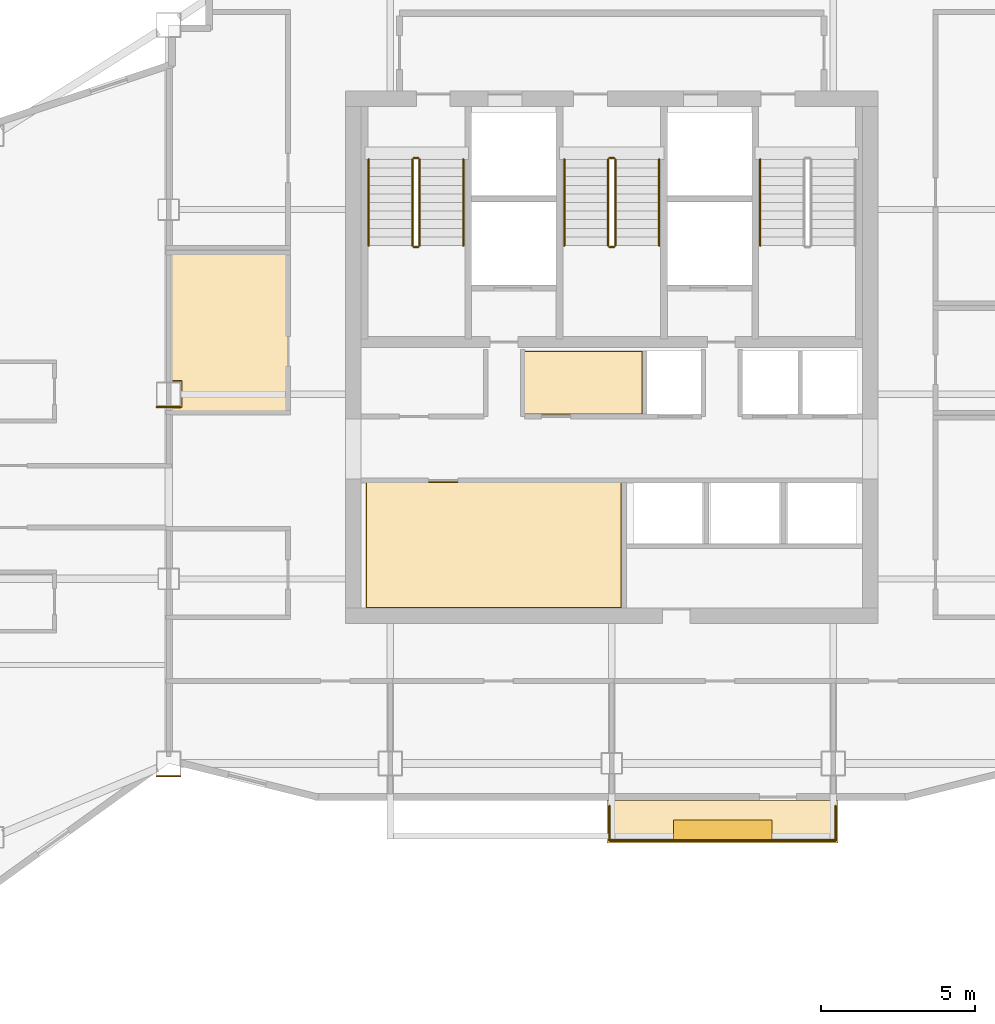
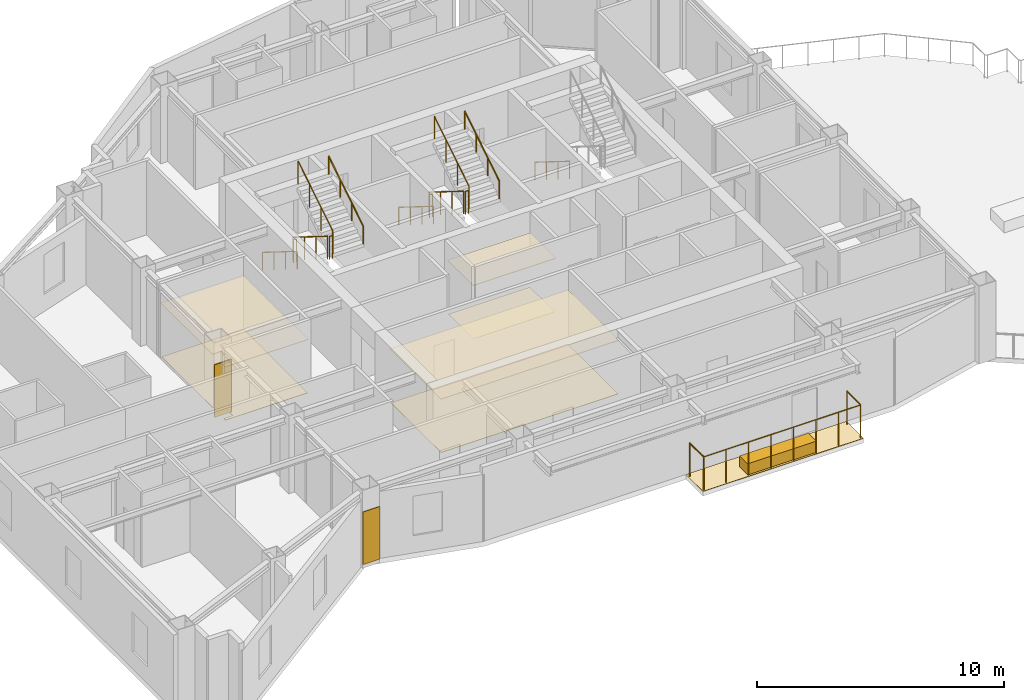
# One storey, part 9 of 10: 15 railings, 10 coverings.
"""IFC4 building model written with IfcOpenShell, lengths in metres."""

from ifc_helpers import new_model, si_unit, direction, frame, origin, origin_2d, place, context, subcontext, project, spatial, polyline, rectangle, circle, outline, extrude, material, layer, layer_set, type_object, element, save


model = new_model("IFC4")

# Units and contexts
model_context = context("Model", 3, precision=1e-05, world=origin(), true_north=direction((0.0, 1.0)))
body_context = subcontext(model_context, "Body", "Model", "MODEL_VIEW")
ifc_project = project(units=[si_unit("LENGTHUNIT", "METRE"), si_unit("AREAUNIT", "SQUARE_METRE"), si_unit("VOLUMEUNIT", "CUBIC_METRE"), si_unit("PLANEANGLEUNIT", "RADIAN"), si_unit("MASSUNIT", "GRAM", prefix="KILO")], contexts=[model_context])

# Site, building, storey
site_placement = place(None, origin())
site = spatial("IfcSite", under=ifc_project, at=site_placement, CompositionType="ELEMENT")
building_placement = place(site_placement, origin())
building = spatial("IfcBuilding", under=site, at=building_placement, Name="Haolan Belvedere Tower", CompositionType="ELEMENT")
storey_placement = place(building_placement, frame((0.0, 0.0, 235.199951171875)))
storey = spatial("IfcBuildingStorey", under=building, at=storey_placement, Name="L59", CompositionType="ELEMENT", Elevation=235.199951171875)

# Coverings
ifc_material_1 = material(Name="Acoustic mineral-fibre suspended ceiling system", Category="masonry")
ifc_layer_1 = layer(ifc_material_1, 0.02490234375, Name="Acoustic mineral-fibre suspended ceiling system")
ifc_layer_set_1 = layer_set([ifc_layer_1], Name="Acoustic mineral-fibre suspended ceiling system")
covering_type_1 = type_object("IfcCoveringType", Name="COV-CEIL-AC25", PredefinedType="CEILING", material=ifc_layer_set_1)
covering_1_placement = place(storey_placement, frame((0.0, 0.0, 2.650146484375)))
element("IfcCovering", 1, at=covering_1_placement, inside=storey, type_object=covering_type_1, Name="L59 suspended acoustic ceiling L59-REUSE-PL-E.1", PredefinedType="CEILING", context=body_context, shape_type="SweptSolid", body=[
    extrude(outline(polyline([(35.548095703125, 32.93798828125), (39.412109375, 32.93798828125), (39.412109375, 35.011962890625), (35.548095703125, 35.011962890625), (35.548095703125, 32.93798828125)])), origin(), (0.0, 0.0, 1.0), 0.02490234375),
])
covering_2_placement = place(storey_placement, frame((0.0, 0.0, 2.650146484375)))
element("IfcCovering", 2, at=covering_2_placement, inside=storey, type_object=covering_type_1, Name="L59 suspended acoustic ceiling L59-REUSE-PM-A.2", PredefinedType="CEILING", context=body_context, shape_type="SweptSolid", body=[
    extrude(outline(polyline([(30.407958984375, 26.64794921875), (38.73193359375, 26.64794921875), (38.73193359375, 30.761962890625), (30.407958984375, 30.761962890625), (30.407958984375, 26.64794921875)])), origin(), (0.0, 0.0, 1.0), 0.02490234375),
])
covering_3_placement = place(storey_placement, frame((0.0, 0.0, 2.650146484375)))
element("IfcCovering", 3, at=covering_3_placement, inside=storey, type_object=covering_type_1, Name="L59 suspended acoustic ceiling L59-HSK.3", PredefinedType="CEILING", context=body_context, shape_type="SweptSolid", body=[
    extrude(outline(polyline([(27.89208984375, 32.988037109375), (27.89208984375, 38.2119140625), (23.988037109375, 38.2119140625), (23.988037109375, 34.014892578125), (24.4150390625, 34.014892578125), (24.4150390625, 33.18505859375), (23.988037109375, 33.18505859375), (23.988037109375, 32.988037109375), (27.89208984375, 32.988037109375)])), origin(), (0.0, 0.0, 1.0), 0.02490234375),
])
ifc_material_2 = material(Name="Pale champagne-silver anodised aluminium rainscreen cladding", Category="aluminium")
ifc_layer_2 = layer(ifc_material_2, 0.034912109375, Name="Pale champagne-silver anodised aluminium rainscreen cladding")
ifc_layer_set_2 = layer_set([ifc_layer_2], Name="Pale champagne-silver anodised aluminium rainscreen cladding")
covering_type_2 = type_object("IfcCoveringType", Name="COV-CLAD-35", PredefinedType="CLADDING", material=ifc_layer_set_2)
for number, where, z_axis, x_axis, name in (
    (4, (24.0, 21.18505859375, 0.199951171875), (0.0, 0.0, 1.0), (1.0, 0.0, 0.0), "L59 pale-metal pier rainscreen cladding 1"),
    (5, (24.0, 33.18505859375, 0.199951171875), (0.0, 0.0, 1.0), (1.0, 0.0, 0.0), "L59 pale-metal pier rainscreen cladding 2"),
):
    element("IfcCovering", number, at=place(storey_placement, frame(where, z_axis=z_axis, x_axis=x_axis)), inside=storey, type_object=covering_type_2, Name=name, PredefinedType="CLADDING", context=body_context, shape_type="SweptSolid", body=[
        extrude(rectangle(XDim=0.800048828125, YDim=0.034912109375, at=origin_2d()), origin(), (0.0, 0.0, 1.0), 2.60009765625),
    ])
ifc_material_3 = material(Name="Honed terrazzo and natural granite stone flooring", Category="masonry")
ifc_layer_3 = layer(ifc_material_3, 0.014892578125, Name="Honed terrazzo and natural granite stone flooring")
ifc_layer_set_3 = layer_set([ifc_layer_3], Name="Honed terrazzo and natural granite stone flooring")
covering_type_3 = type_object("IfcCoveringType", Name="COV-FLR-STN30", PredefinedType="FLOORING", material=ifc_layer_set_3)
covering_4_placement = place(storey_placement, origin())
element("IfcCovering", 6, at=covering_4_placement, inside=storey, type_object=covering_type_3, Name="L59 polished stone floor finish L59-REUSE-PL-E.1", PredefinedType="FLOORING", context=body_context, shape_type="SweptSolid", body=[
    extrude(outline(polyline([(39.386962890625, 32.962890625), (39.386962890625, 34.987060546875), (35.572998046875, 34.987060546875), (35.572998046875, 32.962890625), (39.386962890625, 32.962890625)])), origin(), (0.0, 0.0, 1.0), 0.01513671875),
])
covering_5_placement = place(storey_placement, origin())
element("IfcCovering", 7, at=covering_5_placement, inside=storey, type_object=covering_type_3, Name="L59 polished stone floor finish L59-REUSE-PM-A.2", PredefinedType="FLOORING", context=body_context, shape_type="SweptSolid", body=[
    extrude(outline(polyline([(38.70703125, 26.673095703125), (38.70703125, 30.737060546875), (30.43310546875, 30.737060546875), (30.43310546875, 26.673095703125), (38.70703125, 26.673095703125)])), origin(), (0.0, 0.0, 1.0), 0.01513671875),
])
covering_6_placement = place(storey_placement, origin())
element("IfcCovering", 8, at=covering_6_placement, inside=storey, type_object=covering_type_3, Name="L59 polished stone floor finish L59-HSK.3", PredefinedType="FLOORING", context=body_context, shape_type="SweptSolid", body=[
    extrude(outline(polyline([(27.866943359375, 38.18701171875), (24.012939453125, 38.18701171875), (24.012939453125, 34.0400390625), (24.43994140625, 34.0400390625), (24.43994140625, 33.159912109375), (24.012939453125, 33.159912109375), (24.012939453125, 33.012939453125), (27.866943359375, 33.012939453125), (27.866943359375, 38.18701171875)])), origin(), (0.0, 0.0, 1.0), 0.01513671875),
])
ifc_material_4 = material(Name="Engineered lightweight planted garden soil substrate", Category="masonry")
ifc_layer_4 = layer(ifc_material_4, 0.550048828125, Name="Engineered lightweight planted garden soil substrate")
ifc_layer_set_4 = layer_set([ifc_layer_4], Name="Engineered lightweight planted garden soil substrate")
covering_type_4 = type_object("IfcCoveringType", Name="COV-PLANT-550", PredefinedType="MEMBRANE", material=ifc_layer_set_4)
covering_7_placement = place(storey_placement, frame((42.0, 19.43994140625, 0.0), z_axis=(0.0, 0.0, 1.0), x_axis=(1.0, 0.0, 0.0)))
element("IfcCovering", 9, at=covering_7_placement, inside=storey, type_object=covering_type_4, Name="L59 structural tree balcony PLANTER box 1", PredefinedType="MEMBRANE", context=body_context, shape_type="SweptSolid", body=[
    extrude(rectangle(XDim=3.199951171875, YDim=0.64990234375, at=origin_2d()), origin(), (0.0, 0.0, 1.0), 0.550048828125),
])
ifc_material_5 = material(Name="Elastomeric waterproof roofing membrane and stone pavers", Category="masonry")
ifc_layer_5 = layer(ifc_material_5, 0.02001953125, Name="Elastomeric waterproof roofing membrane and stone pavers")
ifc_layer_set_5 = layer_set([ifc_layer_5], Name="Elastomeric waterproof roofing membrane and stone pavers")
covering_type_5 = type_object("IfcCoveringType", Name="COV-ROOF-20", PredefinedType="ROOFING", material=ifc_layer_set_5)
covering_8_placement = place(storey_placement, frame((0.0, 0.0, -0.02001953125)))
element("IfcCovering", 10, at=covering_8_placement, inside=storey, type_object=covering_type_5, Name="L59 tree-balcony waterproof membrane 1", PredefinedType="ROOFING", context=body_context, shape_type="SweptSolid", body=[
    extrude(outline(polyline([(38.25, 19.02001953125), (45.75, 19.02001953125), (45.75, 20.39990234375), (38.25, 20.39990234375), (38.25, 19.02001953125)])), origin(), (0.0, 0.0, 1.0), 0.02001953125),
])

# Railings
ifc_material_6 = material(Name="Brushed stainless steel 304", Category="steel")
railing_type_1 = type_object("IfcRailingType", Name="RL-STAIR-GRD-1150", PredefinedType="GUARDRAIL", material=ifc_material_6)
railing_1_placement = place(storey_placement, frame((31.919921875, 41.22998046875, 0.175048828125)))
element("IfcRailing", 11, at=railing_1_placement, inside=storey, type_object=railing_type_1, Name="L59 ST1 stair guard 1", PredefinedType="GUARDRAIL", context=body_context, shape_type="SweptSolid", body=[
    extrude(circle(Radius=0.02392578125, at=origin_2d()), frame((0.0, 0.0, 1.1259765625), z_axis=(0.0, -0.848002457836, 0.529992293815), x_axis=(1.0, 0.0, 0.0)), (0.0, 0.0, 1.0), 3.302001953125),
    extrude(circle(Radius=0.02099609375, at=origin_2d()), origin(), (0.0, 0.0, 1.0), 1.101806640625),
    extrude(circle(Radius=0.02099609375, at=origin_2d()), frame((0.0, -0.933349609375, 0.583251953125)), (0.0, 0.0, 1.0), 1.101806640625),
    extrude(circle(Radius=0.02099609375, at=origin_2d()), frame((0.0, -1.86669921875, 1.166748046875)), (0.0, 0.0, 1.0), 1.101806640625),
    extrude(circle(Radius=0.02099609375, at=origin_2d()), frame((0.0, -2.800048828125, 1.75)), (0.0, 0.0, 1.0), 1.101806640625),
])
railing_2_placement = place(storey_placement, frame((31.969970703125, 38.3798828125, 1.925048828125)))
element("IfcRailing", 12, at=railing_2_placement, inside=storey, type_object=railing_type_1, Name="L59 ST1 stair guard 2", PredefinedType="GUARDRAIL", context=body_context, shape_type="SweptSolid", body=[
    extrude(circle(Radius=0.02392578125, at=origin_2d()), frame((0.0, 0.0, 1.1259765625), z_axis=(1.0, 0.0, 0.0), x_axis=(0.0, 1.0, 0.0)), (0.0, 0.0, 1.0), 0.14013671875),
    extrude(circle(Radius=0.02099609375, at=origin_2d()), origin(), (0.0, 0.0, 1.0), 1.101806640625),
    extrude(circle(Radius=0.02099609375, at=origin_2d()), frame((0.14013671875, 0.0, 0.0)), (0.0, 0.0, 1.0), 1.101806640625),
])
railing_3_placement = place(storey_placement, frame((32.159912109375, 38.429931640625, 2.10009765625)))
element("IfcRailing", 13, at=railing_3_placement, inside=storey, type_object=railing_type_1, Name="L59 ST1 stair guard 3", PredefinedType="GUARDRAIL", context=body_context, shape_type="SweptSolid", body=[
    extrude(circle(Radius=0.02392578125, at=origin_2d()), frame((0.0, 0.0, 1.1259765625), z_axis=(0.0, 0.848002457836, 0.529992293815), x_axis=(-1.0, 0.0, 0.0)), (0.0, 0.0, 1.0), 3.302001953125),
    extrude(circle(Radius=0.02099609375, at=origin_2d()), origin(), (0.0, 0.0, 1.0), 1.101806640625),
    extrude(circle(Radius=0.02099609375, at=origin_2d()), frame((0.0, 0.933349609375, 0.583251953125)), (0.0, 0.0, 1.0), 1.101806640625),
    extrude(circle(Radius=0.02099609375, at=origin_2d()), frame((0.0, 1.86669921875, 1.166748046875)), (0.0, 0.0, 1.0), 1.101806640625),
    extrude(circle(Radius=0.02099609375, at=origin_2d()), frame((0.0, 2.800048828125, 1.75)), (0.0, 0.0, 1.0), 1.101806640625),
])
railing_4_placement = place(storey_placement, frame((31.969970703125, 41.280029296875, 0.0)))
element("IfcRailing", 14, at=railing_4_placement, inside=storey, type_object=railing_type_1, Name="L59 ST1 stair guard 4", PredefinedType="GUARDRAIL", context=body_context, shape_type="SweptSolid", body=[
    extrude(circle(Radius=0.02392578125, at=origin_2d()), frame((0.0, 0.0, 1.1259765625), z_axis=(1.0, 0.0, 0.0), x_axis=(0.0, 1.0, 0.0)), (0.0, 0.0, 1.0), 0.14013671875),
    extrude(circle(Radius=0.02099609375, at=origin_2d()), origin(), (0.0, 0.0, 1.0), 1.101806640625),
    extrude(circle(Radius=0.02099609375, at=origin_2d()), frame((0.14013671875, 0.0, 0.0)), (0.0, 0.0, 1.0), 1.101806640625),
])
railing_5_placement = place(storey_placement, frame((38.280029296875, 41.22998046875, 0.175048828125)))
element("IfcRailing", 15, at=railing_5_placement, inside=storey, type_object=railing_type_1, Name="L59 ST3 stair guard 1", PredefinedType="GUARDRAIL", context=body_context, shape_type="SweptSolid", body=[
    extrude(circle(Radius=0.02392578125, at=origin_2d()), frame((0.0, 0.0, 1.1259765625), z_axis=(0.0, -0.848002457836, 0.529992293815), x_axis=(1.0, 0.0, 0.0)), (0.0, 0.0, 1.0), 3.302001953125),
    extrude(circle(Radius=0.02099609375, at=origin_2d()), origin(), (0.0, 0.0, 1.0), 1.101806640625),
    extrude(circle(Radius=0.02099609375, at=origin_2d()), frame((0.0, -0.933349609375, 0.583251953125)), (0.0, 0.0, 1.0), 1.101806640625),
    extrude(circle(Radius=0.02099609375, at=origin_2d()), frame((0.0, -1.86669921875, 1.166748046875)), (0.0, 0.0, 1.0), 1.101806640625),
    extrude(circle(Radius=0.02099609375, at=origin_2d()), frame((0.0, -2.800048828125, 1.75)), (0.0, 0.0, 1.0), 1.101806640625),
])
railing_6_placement = place(storey_placement, frame((38.330078125, 38.3798828125, 1.925048828125)))
element("IfcRailing", 16, at=railing_6_placement, inside=storey, type_object=railing_type_1, Name="L59 ST3 stair guard 2", PredefinedType="GUARDRAIL", context=body_context, shape_type="SweptSolid", body=[
    extrude(circle(Radius=0.02392578125, at=origin_2d()), frame((0.0, 0.0, 1.1259765625), z_axis=(1.0, 0.0, 0.0), x_axis=(0.0, 1.0, 0.0)), (0.0, 0.0, 1.0), 0.139892578125),
    extrude(circle(Radius=0.02099609375, at=origin_2d()), origin(), (0.0, 0.0, 1.0), 1.101806640625),
    extrude(circle(Radius=0.02099609375, at=origin_2d()), frame((0.139892578125, 0.0, 0.0)), (0.0, 0.0, 1.0), 1.101806640625),
])
railing_7_placement = place(storey_placement, frame((38.52001953125, 38.429931640625, 2.10009765625)))
element("IfcRailing", 17, at=railing_7_placement, inside=storey, type_object=railing_type_1, Name="L59 ST3 stair guard 3", PredefinedType="GUARDRAIL", context=body_context, shape_type="SweptSolid", body=[
    extrude(circle(Radius=0.02392578125, at=origin_2d()), frame((0.0, 0.0, 1.1259765625), z_axis=(0.0, 0.848002457836, 0.529992293815), x_axis=(-1.0, 0.0, 0.0)), (0.0, 0.0, 1.0), 3.302001953125),
    extrude(circle(Radius=0.02099609375, at=origin_2d()), origin(), (0.0, 0.0, 1.0), 1.101806640625),
    extrude(circle(Radius=0.02099609375, at=origin_2d()), frame((0.0, 0.933349609375, 0.583251953125)), (0.0, 0.0, 1.0), 1.101806640625),
    extrude(circle(Radius=0.02099609375, at=origin_2d()), frame((0.0, 1.86669921875, 1.166748046875)), (0.0, 0.0, 1.0), 1.101806640625),
    extrude(circle(Radius=0.02099609375, at=origin_2d()), frame((0.0, 2.800048828125, 1.75)), (0.0, 0.0, 1.0), 1.101806640625),
])
railing_8_placement = place(storey_placement, frame((38.330078125, 41.280029296875, 0.0)))
element("IfcRailing", 18, at=railing_8_placement, inside=storey, type_object=railing_type_1, Name="L59 ST3 stair guard 4", PredefinedType="GUARDRAIL", context=body_context, shape_type="SweptSolid", body=[
    extrude(circle(Radius=0.02392578125, at=origin_2d()), frame((0.0, 0.0, 1.1259765625), z_axis=(1.0, 0.0, 0.0), x_axis=(0.0, 1.0, 0.0)), (0.0, 0.0, 1.0), 0.139892578125),
    extrude(circle(Radius=0.02099609375, at=origin_2d()), origin(), (0.0, 0.0, 1.0), 1.101806640625),
    extrude(circle(Radius=0.02099609375, at=origin_2d()), frame((0.139892578125, 0.0, 0.0)), (0.0, 0.0, 1.0), 1.101806640625),
])
railing_type_2 = type_object("IfcRailingType", Name="RL-STAIR-HND-900", PredefinedType="HANDRAIL", material=ifc_material_6)
railing_9_placement = place(storey_placement, frame((30.5, 41.22998046875, 0.175048828125)))
element("IfcRailing", 19, at=railing_9_placement, inside=storey, type_object=railing_type_2, Name="L59 ST1 stair handrail 1", PredefinedType="HANDRAIL", context=body_context, shape_type="SweptSolid", body=[
    extrude(circle(Radius=0.02392578125, at=origin_2d()), frame((0.0, 0.0, 0.8759765625), z_axis=(0.0, -0.848002457836, 0.529992293815), x_axis=(1.0, 0.0, 0.0)), (0.0, 0.0, 1.0), 3.302001953125),
    extrude(circle(Radius=0.02099609375, at=origin_2d()), origin(), (0.0, 0.0, 1.0), 0.851806640625),
    extrude(circle(Radius=0.02099609375, at=origin_2d()), frame((0.0, -0.933349609375, 0.583251953125)), (0.0, 0.0, 1.0), 0.851806640625),
    extrude(circle(Radius=0.02099609375, at=origin_2d()), frame((0.0, -1.86669921875, 1.166748046875)), (0.0, 0.0, 1.0), 0.851806640625),
    extrude(circle(Radius=0.02099609375, at=origin_2d()), frame((0.0, -2.800048828125, 1.75)), (0.0, 0.0, 1.0), 0.851806640625),
])
railing_10_placement = place(storey_placement, frame((33.580078125, 38.429931640625, 2.10009765625)))
element("IfcRailing", 20, at=railing_10_placement, inside=storey, type_object=railing_type_2, Name="L59 ST1 stair handrail 2", PredefinedType="HANDRAIL", context=body_context, shape_type="SweptSolid", body=[
    extrude(circle(Radius=0.02392578125, at=origin_2d()), frame((0.0, 0.0, 0.8759765625), z_axis=(0.0, 0.848002457836, 0.529992293815), x_axis=(-1.0, 0.0, 0.0)), (0.0, 0.0, 1.0), 3.302001953125),
    extrude(circle(Radius=0.02099609375, at=origin_2d()), origin(), (0.0, 0.0, 1.0), 0.851806640625),
    extrude(circle(Radius=0.02099609375, at=origin_2d()), frame((0.0, 0.933349609375, 0.583251953125)), (0.0, 0.0, 1.0), 0.851806640625),
    extrude(circle(Radius=0.02099609375, at=origin_2d()), frame((0.0, 1.86669921875, 1.166748046875)), (0.0, 0.0, 1.0), 0.851806640625),
    extrude(circle(Radius=0.02099609375, at=origin_2d()), frame((0.0, 2.800048828125, 1.75)), (0.0, 0.0, 1.0), 0.851806640625),
])
railing_11_placement = place(storey_placement, frame((36.860107421875, 41.22998046875, 0.175048828125)))
element("IfcRailing", 21, at=railing_11_placement, inside=storey, type_object=railing_type_2, Name="L59 ST3 stair handrail 1", PredefinedType="HANDRAIL", context=body_context, shape_type="SweptSolid", body=[
    extrude(circle(Radius=0.02392578125, at=origin_2d()), frame((0.0, 0.0, 0.8759765625), z_axis=(0.0, -0.848002457836, 0.529992293815), x_axis=(1.0, 0.0, 0.0)), (0.0, 0.0, 1.0), 3.302001953125),
    extrude(circle(Radius=0.02099609375, at=origin_2d()), origin(), (0.0, 0.0, 1.0), 0.851806640625),
    extrude(circle(Radius=0.02099609375, at=origin_2d()), frame((0.0, -0.933349609375, 0.583251953125)), (0.0, 0.0, 1.0), 0.851806640625),
    extrude(circle(Radius=0.02099609375, at=origin_2d()), frame((0.0, -1.86669921875, 1.166748046875)), (0.0, 0.0, 1.0), 0.851806640625),
    extrude(circle(Radius=0.02099609375, at=origin_2d()), frame((0.0, -2.800048828125, 1.75)), (0.0, 0.0, 1.0), 0.851806640625),
])
railing_12_placement = place(storey_placement, frame((39.93994140625, 38.429931640625, 2.10009765625)))
element("IfcRailing", 22, at=railing_12_placement, inside=storey, type_object=railing_type_2, Name="L59 ST3 stair handrail 2", PredefinedType="HANDRAIL", context=body_context, shape_type="SweptSolid", body=[
    extrude(circle(Radius=0.02392578125, at=origin_2d()), frame((0.0, 0.0, 0.8759765625), z_axis=(0.0, 0.848002457836, 0.529992293815), x_axis=(-1.0, 0.0, 0.0)), (0.0, 0.0, 1.0), 3.302001953125),
    extrude(circle(Radius=0.02099609375, at=origin_2d()), origin(), (0.0, 0.0, 1.0), 0.851806640625),
    extrude(circle(Radius=0.02099609375, at=origin_2d()), frame((0.0, 0.933349609375, 0.583251953125)), (0.0, 0.0, 1.0), 0.851806640625),
    extrude(circle(Radius=0.02099609375, at=origin_2d()), frame((0.0, 1.86669921875, 1.166748046875)), (0.0, 0.0, 1.0), 0.851806640625),
    extrude(circle(Radius=0.02099609375, at=origin_2d()), frame((0.0, 2.800048828125, 1.75)), (0.0, 0.0, 1.0), 0.851806640625),
])
railing_13_placement = place(storey_placement, frame((43.219970703125, 41.22998046875, 0.175048828125)))
element("IfcRailing", 23, at=railing_13_placement, inside=storey, type_object=railing_type_2, Name="L59 ST2 stair handrail 1", PredefinedType="HANDRAIL", context=body_context, shape_type="SweptSolid", body=[
    extrude(circle(Radius=0.02392578125, at=origin_2d()), frame((0.0, 0.0, 0.8759765625), z_axis=(0.0, -0.848002457836, 0.529992293815), x_axis=(1.0, 0.0, 0.0)), (0.0, 0.0, 1.0), 3.302001953125),
    extrude(circle(Radius=0.02099609375, at=origin_2d()), origin(), (0.0, 0.0, 1.0), 0.851806640625),
    extrude(circle(Radius=0.02099609375, at=origin_2d()), frame((0.0, -0.933349609375, 0.583251953125)), (0.0, 0.0, 1.0), 0.851806640625),
    extrude(circle(Radius=0.02099609375, at=origin_2d()), frame((0.0, -1.86669921875, 1.166748046875)), (0.0, 0.0, 1.0), 0.851806640625),
    extrude(circle(Radius=0.02099609375, at=origin_2d()), frame((0.0, -2.800048828125, 1.75)), (0.0, 0.0, 1.0), 0.851806640625),
])
ifc_material_7 = material(Name="Anodised aluminium and laminated glass balustrade", Category="aluminium")
railing_type_3 = type_object("IfcRailingType", Name="RL-TER-BAL-1150", PredefinedType="BALUSTRADE", material=ifc_material_7)
railing_14_placement = place(storey_placement, frame((38.330078125, 19.10009765625, 0.0)))
element("IfcRailing", 24, at=railing_14_placement, inside=storey, type_object=railing_type_3, Name="L59 outdoor perimeter balustrade BAL-L59-1-1", PredefinedType="BALUSTRADE", context=body_context, shape_type="SweptSolid", body=[
    extrude(circle(Radius=0.02392578125, at=origin_2d()), frame((0.0, 0.0, 1.6259765625), z_axis=(0.0, 1.0, 0.0), x_axis=(-1.0, 0.0, 0.0)), (0.0, 0.0, 1.0), 1.119873046875),
    extrude(circle(Radius=0.02099609375, at=origin_2d()), origin(), (0.0, 0.0, 1.0), 1.601806640625),
    extrude(circle(Radius=0.02099609375, at=origin_2d()), frame((0.0, 1.119873046875, 0.0)), (0.0, 0.0, 1.0), 1.601806640625),
])
railing_15_placement = place(storey_placement, frame((45.669921875, 20.219970703125, 0.0)))
element("IfcRailing", 25, at=railing_15_placement, inside=storey, type_object=railing_type_3, Name="L59 outdoor perimeter balustrade BAL-L59-1-2", PredefinedType="BALUSTRADE", context=body_context, shape_type="SweptSolid", body=[
    extrude(circle(Radius=0.02392578125, at=origin_2d()), frame((0.0, 0.0, 1.6259765625), z_axis=(0.0, -1.0, 0.0), x_axis=(1.0, 0.0, 0.0)), (0.0, 0.0, 1.0), 1.119873046875),
    extrude(circle(Radius=0.02392578125, at=origin_2d()), frame((0.0, -1.119873046875, 1.6259765625), z_axis=(-1.0, 0.0, 0.0), x_axis=(0.0, -1.0, 0.0)), (0.0, 0.0, 1.0), 7.33984375),
    extrude(circle(Radius=0.02099609375, at=origin_2d()), origin(), (0.0, 0.0, 1.0), 1.601806640625),
    extrude(circle(Radius=0.02099609375, at=origin_2d()), frame((0.0, -1.119873046875, 0.0)), (0.0, 0.0, 1.0), 1.601806640625),
    extrude(circle(Radius=0.02099609375, at=origin_2d()), frame((-1.048583984375, -1.119873046875, 0.0)), (0.0, 0.0, 1.0), 1.601806640625),
    extrude(circle(Radius=0.02099609375, at=origin_2d()), frame((-2.09716796875, -1.119873046875, 0.0)), (0.0, 0.0, 1.0), 1.601806640625),
    extrude(circle(Radius=0.02099609375, at=origin_2d()), frame((-3.145751953125, -1.119873046875, 0.0)), (0.0, 0.0, 1.0), 1.601806640625),
    extrude(circle(Radius=0.02099609375, at=origin_2d()), frame((-4.194091796875, -1.119873046875, 0.0)), (0.0, 0.0, 1.0), 1.601806640625),
    extrude(circle(Radius=0.02099609375, at=origin_2d()), frame((-5.24267578125, -1.119873046875, 0.0)), (0.0, 0.0, 1.0), 1.601806640625),
    extrude(circle(Radius=0.02099609375, at=origin_2d()), frame((-6.291259765625, -1.119873046875, 0.0)), (0.0, 0.0, 1.0), 1.601806640625),
    extrude(circle(Radius=0.02099609375, at=origin_2d()), frame((-7.33984375, -1.119873046875, 0.0)), (0.0, 0.0, 1.0), 1.601806640625),
])

save(model, "model.ifc")
